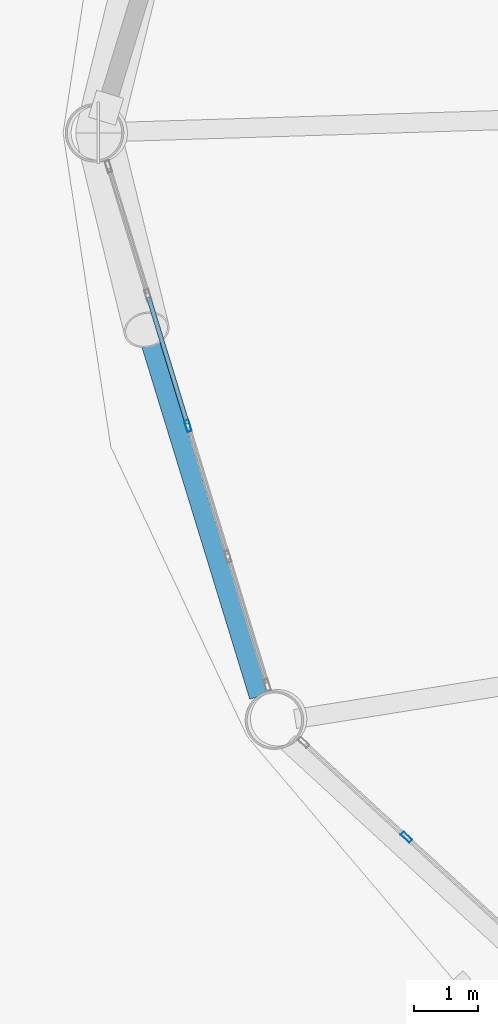
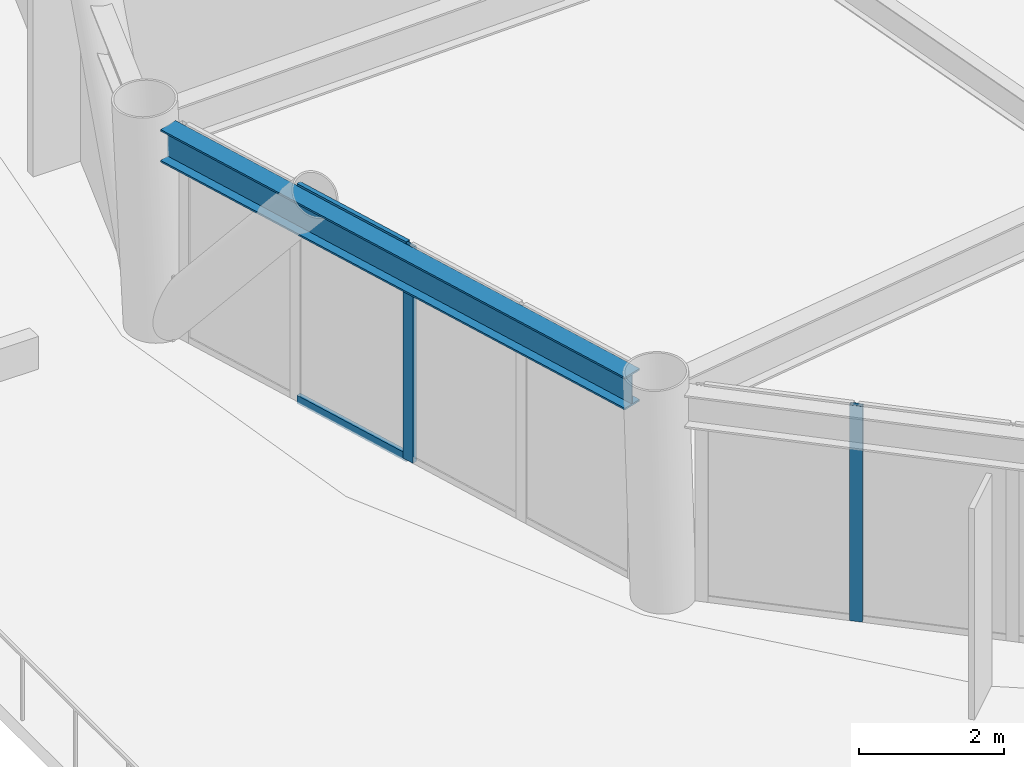
# One storey, part 3 of 24: 4 members, 1 beam, 2 elements without a shape of their own.
"""IFC4 building model written with IfcOpenShell, lengths in metres."""

from ifc_helpers import new_model, si_unit, direction, frame, origin, origin_2d, place, context, subcontext, project, spatial, hollow_rectangle, i_section, extrude, material, layer, layer_set, material_profile, profile_set, type_object, element, aggregate, save


model = new_model("IFC4")

# Units and contexts
model_context = context("Model", 3, precision=1e-05, world=origin(), true_north=direction((0.0, 1.0)))
body_context = subcontext(model_context, "Body", "Model", "MODEL_VIEW")
ifc_project = project(units=[si_unit("LENGTHUNIT", "METRE"), si_unit("AREAUNIT", "SQUARE_METRE"), si_unit("VOLUMEUNIT", "CUBIC_METRE"), si_unit("PLANEANGLEUNIT", "RADIAN"), si_unit("MASSUNIT", "GRAM", prefix="KILO")], contexts=[model_context])

# Site, building, storey
site_placement = place(None, origin())
site = spatial("IfcSite", under=ifc_project, at=site_placement, CompositionType="ELEMENT")
building_placement = place(site_placement, origin())
building = spatial("IfcBuilding", under=site, at=building_placement, Name="Varnakorn Sky Granary", CompositionType="ELEMENT")
storey_placement = place(building_placement, frame((0.0, 0.0, 27.60009765625)))
storey = spatial("IfcBuildingStorey", under=building, at=storey_placement, Name="L06", CompositionType="ELEMENT", Elevation=27.60009765625)

# Beam
ifc_material_1 = material(Name="Steel S355JR", Category="steel")
ifc_material_profile_1 = material_profile(ifc_material_1, i_section(OverallWidth=0.300048828125, OverallDepth=0.550048828125, WebThickness=0.014892578125, FlangeThickness=0.029052734375, at=origin_2d()), Name="HE 550 B")
ifc_profile_set_1 = profile_set([ifc_material_profile_1], Name="Steel S355JR")
beam_type = type_object("IfcBeamType", Name="BM-SPD-Z1", PredefinedType="SPANDREL", material=ifc_profile_set_1)
beam_placement = place(storey_placement, frame((-21.6083984375, -0.422607421875, 3.364990234375), z_axis=(0.292941262757, -0.9561304391, 0.0), x_axis=(0.9561304391, 0.292941262757, 0.0)))
element("IfcBeam", 1, at=beam_placement, inside=storey, type_object=beam_type, Name="Perimeter Spandrel Ring Beam RB07 L06", PredefinedType="SPANDREL", context=body_context, shape_type="SweptSolid", body=[
    extrude(i_section(OverallWidth=0.300048828125, OverallDepth=0.550048828125, WebThickness=0.014892578125, FlangeThickness=0.029052734375, at=origin_2d()), origin(), (0.0, 0.0, 1.0), 8.77001953125),
])

# Curtain wall, member
ifc_material_2 = material(Name="Anodised Bronze Aluminium Alloy 6063-T6", Category="aluminium")
ifc_layer = layer(ifc_material_2, 0.18994140625, Name="Anodised Bronze Aluminium Alloy 6063-T6")
ifc_layer_set = layer_set([ifc_layer], Name="Anodised Bronze Aluminium Alloy 6063-T6")
curtain_wall_type = type_object("IfcCurtainWallType", Name="CW-FRM-1", PredefinedType="USERDEFINED", material=ifc_layer_set)
curtain_wall_1_placement = place(storey_placement, origin())
curtain_wall_1 = element("IfcCurtainWall", 2, at=curtain_wall_1_placement, inside=storey, type_object=curtain_wall_type, Name="Unitised Curtain Wall CW3 CW-L06-B07", ObjectType="CURTAIN WALL", PredefinedType="USERDEFINED")
ifc_material_profile_2 = material_profile(ifc_material_2, hollow_rectangle(XDim=0.070068359375, YDim=0.18505859375, WallThickness=0.00390625, at=origin_2d()), Name="ALU MULL 70x185")
ifc_profile_set_2 = profile_set([ifc_material_profile_2], Name="Anodised Bronze Aluminium Alloy 6063-T6")
member_type_1 = type_object("IfcMemberType", Name="CW-FRM-1-MULL", PredefinedType="MULLION", material=ifc_profile_set_2)
member_1_placement = place(storey_placement, frame((-20.1484375, -4.578857421875, 0.0), z_axis=(0.0, 0.0, 1.0), x_axis=(-0.956203967275, -0.292701166664, 0.0)))
member_1 = element("IfcMember", 3, at=member_1_placement, type_object=member_type_1, Name="CW3 mullion 3", PredefinedType="MULLION", context=body_context, shape_type="SweptSolid", body=[
    extrude(hollow_rectangle(XDim=0.070068359375, YDim=0.18505859375, WallThickness=0.00390625, at=origin_2d()), origin(), (0.0, 0.0, 1.0), 3.639892578125),
])

curtain_wall_2_placement = place(storey_placement, origin())
curtain_wall_2 = element("IfcCurtainWall", 4, at=curtain_wall_2_placement, inside=storey, type_object=curtain_wall_type, Name="Unitised Curtain Wall CW3 CW-L06-B08", ObjectType="CURTAIN WALL", PredefinedType="USERDEFINED")
member_2_placement = place(storey_placement, frame((-16.734375, -11.008544921875, 0.0), z_axis=(0.0, 0.0, 1.0), x_axis=(-0.676914362354, -0.7360617814, 0.0)))
member_2 = element("IfcMember", 5, at=member_2_placement, type_object=member_type_1, Name="CW3 mullion 4", PredefinedType="MULLION", context=body_context, shape_type="SweptSolid", body=[
    extrude(hollow_rectangle(XDim=0.070068359375, YDim=0.18505859375, WallThickness=0.00390625, at=origin_2d()), origin(), (0.0, 0.0, 1.0), 3.639892578125),
])
aggregate(curtain_wall_2, [member_2])

# Member
ifc_material_profile_3 = material_profile(ifc_material_2, hollow_rectangle(XDim=0.070068359375, YDim=0.139892578125, WallThickness=0.00341796875, at=origin_2d()), Name="ALU TRAN 70x140")
ifc_profile_set_3 = profile_set([ifc_material_profile_3], Name="Anodised Bronze Aluminium Alloy 6063-T6")
member_type_2 = type_object("IfcMemberType", Name="CW-FRM-1-TRAN", PredefinedType="USERDEFINED", material=ifc_profile_set_3)
member_3_placement = place(storey_placement, frame((-20.15869140625, -4.545166015625, 0.034912109375), z_axis=(-0.292764996715, 0.956184426091, 0.0), x_axis=(-0.956184426091, -0.292764996715, 0.0)))
member_3 = element("IfcMember", 6, at=member_3_placement, type_object=member_type_2, Name="CW3 transom 3.1", ObjectType="TRANSOM", PredefinedType="USERDEFINED", context=body_context, shape_type="SweptSolid", body=[
    extrude(hollow_rectangle(XDim=0.070068359375, YDim=0.139892578125, WallThickness=0.00341796875, at=origin_2d()), origin(), (0.0, 0.0, 1.0), 2.065673828125),
])

member_4_placement = place(storey_placement, frame((-20.15869140625, -4.545166015625, 3.60498046875), z_axis=(-0.292764996715, 0.956184426091, 0.0), x_axis=(-0.956184426091, -0.292764996715, 0.0)))
member_4 = element("IfcMember", 7, at=member_4_placement, type_object=member_type_2, Name="CW3 transom 3.2", ObjectType="TRANSOM", PredefinedType="USERDEFINED", context=body_context, shape_type="SweptSolid", body=[
    extrude(hollow_rectangle(XDim=0.070068359375, YDim=0.139892578125, WallThickness=0.00341796875, at=origin_2d()), origin(), (0.0, 0.0, 1.0), 2.065673828125),
])

aggregate(curtain_wall_1, [member_1, member_3, member_4])

save(model, "model.ifc")
